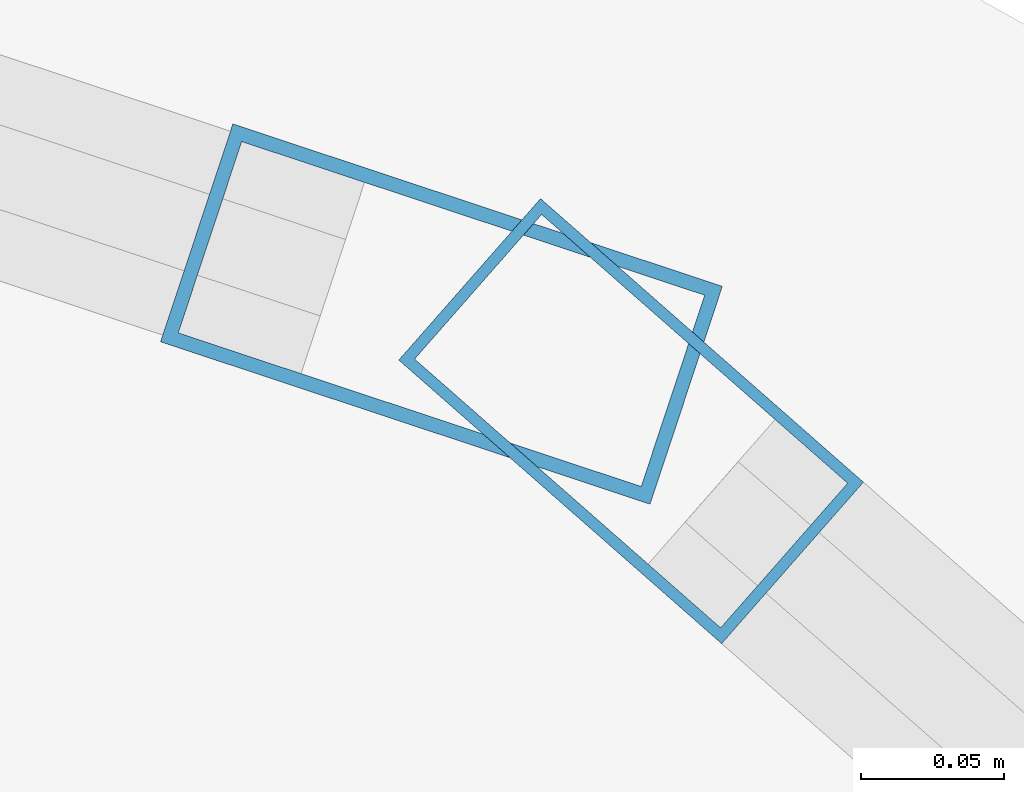
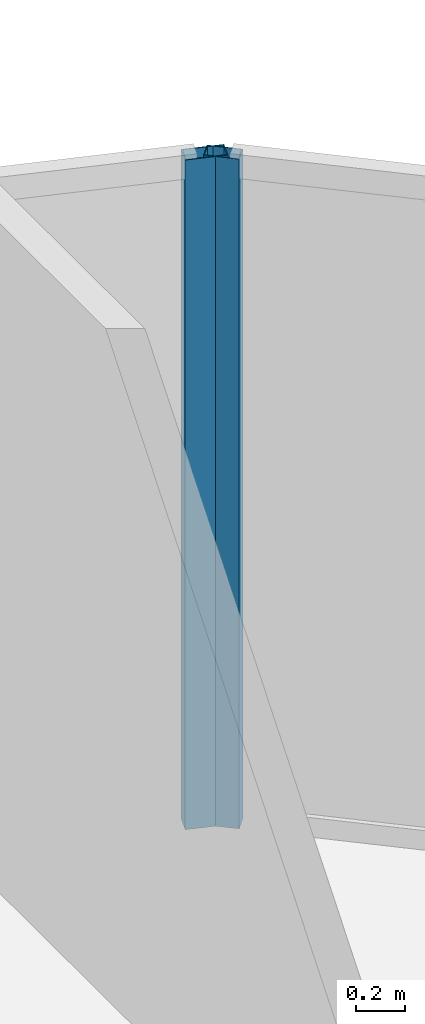
# One storey, part 21 of 34: 2 members, 2 elements without a shape of their own.
"""IFC4 building model written with IfcOpenShell, lengths in metres."""

from ifc_helpers import new_model, si_unit, direction, frame, origin, origin_2d, place, context, subcontext, project, spatial, hollow_rectangle, extrude, material, layer, layer_set, material_profile, profile_set, type_object, element, aggregate, save


model = new_model("IFC4")

# Units and contexts
model_context = context("Model", 3, precision=1e-05, world=origin(), true_north=direction((0.0, 1.0)))
body_context = subcontext(model_context, "Body", "Model", "MODEL_VIEW")
ifc_project = project(units=[si_unit("LENGTHUNIT", "METRE"), si_unit("AREAUNIT", "SQUARE_METRE"), si_unit("VOLUMEUNIT", "CUBIC_METRE"), si_unit("PLANEANGLEUNIT", "RADIAN"), si_unit("MASSUNIT", "GRAM", prefix="KILO")], contexts=[model_context])

# Site, building, storey
site_placement = place(None, origin())
site = spatial("IfcSite", under=ifc_project, at=site_placement, CompositionType="ELEMENT")
building_placement = place(site_placement, origin())
building = spatial("IfcBuilding", under=site, at=building_placement, Name="Kazevale Care Tower and Concert Hall", CompositionType="ELEMENT")
storey_placement = place(building_placement, frame((0.0, 0.0, 160.199951171875)))
storey = spatial("IfcBuildingStorey", under=building, at=storey_placement, Name="L42", CompositionType="ELEMENT", Elevation=160.199951171875)

# Curtain wall, member
ifc_material_1 = material(Name="Aluminium 6063-T6 and Low-E Glass", Category="aluminium")
ifc_layer_1 = layer(ifc_material_1, 0.179931640625)
ifc_layer_set_1 = layer_set([ifc_layer_1], Name="Aluminium 6063-T6 and Low-E Glass")
curtain_wall_type_1 = type_object("IfcCurtainWallType", Name="Convex Checkerboard Finned Curtain Wall CW-2", PredefinedType="NOTDEFINED", material=ifc_layer_set_1)
curtain_wall_1_placement = place(storey_placement, origin())
curtain_wall_1 = element("IfcCurtainWall", 1, at=curtain_wall_1_placement, inside=storey, type_object=curtain_wall_type_1, Name="cw:L42:f16", PredefinedType="NOTDEFINED")
ifc_material_2 = material(Name="Aluminium 6063-T6", Category="aluminium")
ifc_material_profile_1 = material_profile(ifc_material_2, hollow_rectangle(XDim=0.080078125, YDim=0.179931640625, WallThickness=0.0048828125, at=origin_2d()), Name="ALU80x180x5")
ifc_profile_set_1 = profile_set([ifc_material_profile_1], Name="Aluminium 6063-T6")
member_type_1 = type_object("IfcMemberType", Name="CW-2 Mullion ALU80x180x5", PredefinedType="MULLION", material=ifc_profile_set_1)
member_1_placement = place(storey_placement, frame((63.14501953125, 60.734619140625, 0.0), z_axis=(0.0, 0.0, 1.0), x_axis=(0.314868185785, 0.949135409507, 0.0)))
member_1 = element("IfcMember", 2, at=member_1_placement, type_object=member_type_1, Name="CW-2 mullion 2", PredefinedType="MULLION", context=body_context, shape_type="SweptSolid", body=[
    extrude(hollow_rectangle(XDim=0.080078125, YDim=0.179931640625, WallThickness=0.0048828125, at=origin_2d()), origin(), (0.0, 0.0, 1.0), 3.360107421875),
])
aggregate(curtain_wall_1, [member_1])

ifc_layer_2 = layer(ifc_material_1, 0.179931640625)
ifc_layer_set_2 = layer_set([ifc_layer_2], Name="Aluminium 6063-T6 and Low-E Glass")
curtain_wall_type_2 = type_object("IfcCurtainWallType", Name="Convex Recessed Sunroom Curtain Wall CW-3", PredefinedType="NOTDEFINED", material=ifc_layer_set_2)
curtain_wall_2_placement = place(storey_placement, origin())
curtain_wall_2 = element("IfcCurtainWall", 3, at=curtain_wall_2_placement, inside=storey, type_object=curtain_wall_type_2, Name="cw:L42:f17", PredefinedType="NOTDEFINED")
ifc_material_profile_2 = material_profile(ifc_material_2, hollow_rectangle(XDim=0.074951171875, YDim=0.14990234375, WallThickness=0.00390625, at=origin_2d()), Name="ALU75x150x4")
ifc_profile_set_2 = profile_set([ifc_material_profile_2], Name="Aluminium 6063-T6")
member_type_2 = type_object("IfcMemberType", Name="CW-3 Mullion ALU75x150x4", PredefinedType="MULLION", material=ifc_profile_set_2)
member_2_placement = place(storey_placement, frame((63.211181640625, 60.697265625, 0.0), z_axis=(0.0, 0.0, 1.0), x_axis=(0.659891732197, 0.751360700182, 0.0)))
member_2 = element("IfcMember", 4, at=member_2_placement, type_object=member_type_2, Name="CW-3 mullion 1", PredefinedType="MULLION", context=body_context, shape_type="SweptSolid", body=[
    extrude(hollow_rectangle(XDim=0.074951171875, YDim=0.14990234375, WallThickness=0.00390625, at=origin_2d()), origin(), (0.0, 0.0, 1.0), 3.360107421875),
])
aggregate(curtain_wall_2, [member_2])

save(model, "model.ifc")
